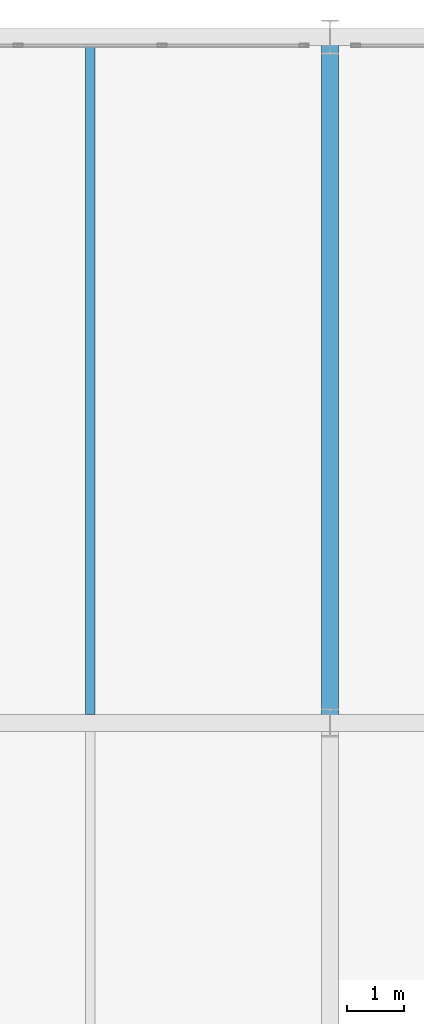
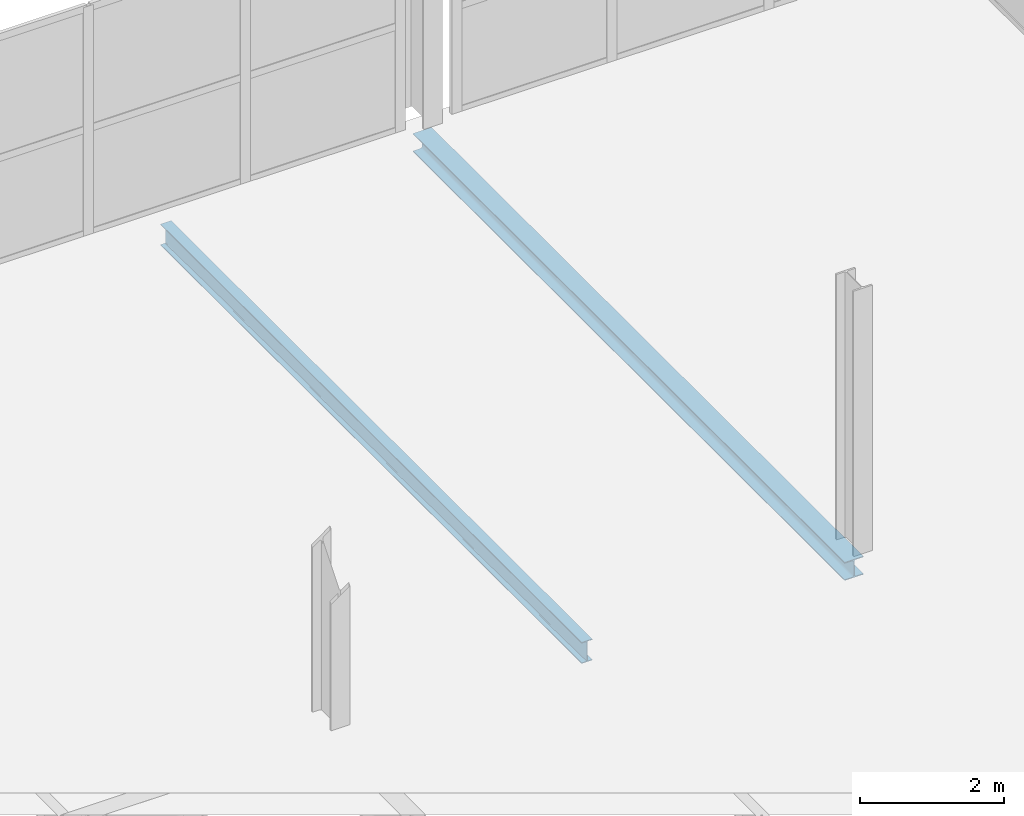
# One storey, part 58 of 109: 2 beams.
"""IFC4 building model written with IfcOpenShell, lengths in metres."""

from ifc_helpers import new_model, si_unit, direction, frame, origin, origin_2d, place, context, subcontext, project, spatial, i_section, extrude, material, material_profile, profile_set, type_object, element, save


model = new_model("IFC4")

# Units and contexts
model_context = context("Model", 3, precision=1e-05, world=origin(), true_north=direction((0.0, 1.0)))
body_context = subcontext(model_context, "Body", "Model", "MODEL_VIEW")
ifc_project = project(units=[si_unit("LENGTHUNIT", "METRE"), si_unit("AREAUNIT", "SQUARE_METRE"), si_unit("VOLUMEUNIT", "CUBIC_METRE"), si_unit("PLANEANGLEUNIT", "RADIAN"), si_unit("MASSUNIT", "GRAM", prefix="KILO")], contexts=[model_context])

# Site, building, storey
site_placement = place(None, origin())
site = spatial("IfcSite", under=ifc_project, at=site_placement, CompositionType="ELEMENT")
building_placement = place(site_placement, origin())
building = spatial("IfcBuilding", under=site, at=building_placement, Name="Veltarok Museum of Natural Sciences", CompositionType="ELEMENT")
storey_placement = place(building_placement, frame((0.0, 0.0, 17.39990234375)))
storey = spatial("IfcBuildingStorey", under=building, at=storey_placement, Name="L03", CompositionType="ELEMENT", Elevation=17.39990234375)

# Beams
ifc_material = material(Name="Steel S355J2", Category="steel")
ifc_material_profile_1 = material_profile(ifc_material, i_section(OverallWidth=0.169921875, OverallDepth=0.360107421875, WebThickness=0.008056640625, FlangeThickness=0.0126953125, FilletRadius=0.01806640625, at=origin_2d()), Name="IPE 360")
ifc_profile_set_1 = profile_set([ifc_material_profile_1], Name="Steel S355J2")
beam_type_1 = type_object("IfcBeamType", Name="Long-Bay Composite Joist IPE 360", PredefinedType="JOIST", material=ifc_profile_set_1)
beam_1_placement = place(storey_placement, frame((86.199951171875, 60.14794921875, -0.429931640625), z_axis=(0.0, 1.0, 0.0), x_axis=(-1.0, 0.0, 0.0)))
element("IfcBeam", 1, at=beam_1_placement, inside=storey, type_object=beam_type_1, Name="Secondary Joist BM-J01 L03 10-11/G-H.1", PredefinedType="JOIST", context=body_context, shape_type="SweptSolid", body=[
    extrude(i_section(OverallWidth=0.169921875, OverallDepth=0.360107421875, WebThickness=0.008056640625, FlangeThickness=0.0126953125, FilletRadius=0.01806640625, at=origin_2d()), origin(), (0.0, 0.0, 1.0), 11.7041015625),
])
ifc_material_profile_2 = material_profile(ifc_material, i_section(OverallWidth=0.300048828125, OverallDepth=0.31005859375, WebThickness=0.009033203125, FlangeThickness=0.015380859375, FilletRadius=0.027099609375, at=origin_2d()), Name="HEA 320")
ifc_profile_set_2 = profile_set([ifc_material_profile_2], Name="Steel S355J2")
beam_type_2 = type_object("IfcBeamType", Name="Perimeter Edge Spandrel HEA 320", PredefinedType="SPANDREL", material=ifc_profile_set_2)
beam_2_placement = place(storey_placement, frame((90.39990234375, 60.0, -0.40478515625), z_axis=(0.0, 1.0, 0.0), x_axis=(-1.0, 0.0, 0.0)))
element("IfcBeam", 2, at=beam_2_placement, inside=storey, type_object=beam_type_2, Name="Beam BM-SP04 L03 11/G-H", PredefinedType="SPANDREL", context=body_context, shape_type="SweptSolid", body=[
    extrude(i_section(OverallWidth=0.300048828125, OverallDepth=0.31005859375, WebThickness=0.009033203125, FlangeThickness=0.015380859375, FilletRadius=0.027099609375, at=origin_2d()), origin(), (0.0, 0.0, 1.0), 12.0),
])

save(model, "model.ifc")
